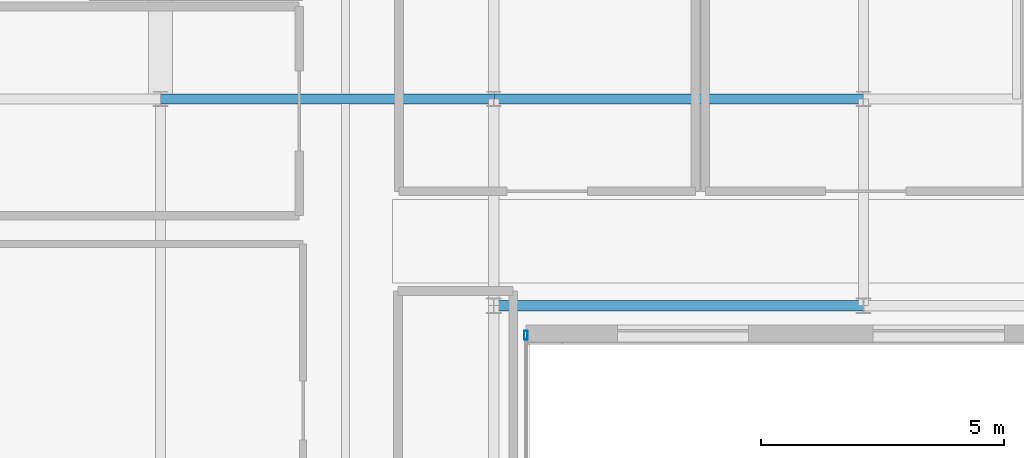
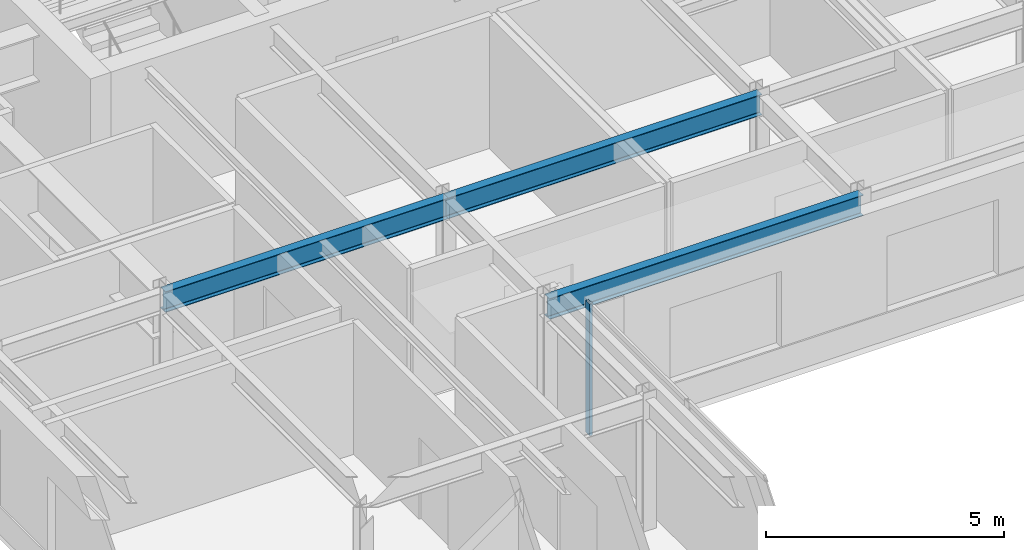
# One storey, part 9 of 21: 3 beams, 1 member, 1 element without a shape of its own.
"""IFC4 building model written with IfcOpenShell, lengths in metres."""

import ifcopenshell
import ifcopenshell.guid

model = None  # the IFC model being written
_history = None  # IfcOwnerHistory: only IFC2X3 demands one
_inside = {}  # id of a spatial element -> (the spatial element, [elements in it])
_under = {}  # id of a project, library or spatial element -> (it, [spatial elements below it])
_declared = {}  # id of a project -> (the project, [libraries it declares])
_typed = {}  # id of a type object -> (the type object, [elements of that type])
_made_of = {}  # id of a material, layer set ... -> (it, [elements and type objects made of it])


def new_model(schema):
    """Start an empty IFC model of exactly this schema.

    Asked for "IFC4X3", IfcOpenShell would pick the latest addendum, in which some entities
    have other attributes; the version numbers below select the first issue.
    IFC2X3 requires an IfcOwnerHistory on every rooted entity: one is made here for all.
    """
    global model, _history
    if schema == "IFC4X3":
        model = ifcopenshell.file(schema_version=(4, 3, 0, 0))
    else:
        model = ifcopenshell.file(schema=schema)
    _inside.clear()
    _under.clear()
    _declared.clear()
    _typed.clear()
    _made_of.clear()
    _history = None
    if model.schema == "IFC2X3":
        org = make("IfcOrganization", Name="unknown")
        user = make(
            "IfcPersonAndOrganization",
            ThePerson=make("IfcPerson", FamilyName="unknown"),
            TheOrganization=org,
        )
        app = make(
            "IfcApplication",
            ApplicationDeveloper=org,
            Version="unknown",
            ApplicationFullName="unknown",
            ApplicationIdentifier="unknown",
        )
        _history = make(
            "IfcOwnerHistory",
            OwningUser=user,
            OwningApplication=app,
            ChangeAction="ADDED",
            CreationDate=0,
        )
    return model


def make(cls, **values):
    """One entity of the class cls with the attributes given. An attribute that is None is left unset."""
    return model.create_entity(
        cls, **{name: value for name, value in values.items() if value is not None}
    )


def rooted(cls, **values):
    """An entity with a GlobalId (a new one), such as an element, a storey or a relation."""
    return make(cls, GlobalId=ifcopenshell.guid.new(), OwnerHistory=_history, **values)


def si_unit(unit_type, name, prefix=None):
    """IfcSIUnit, for example si_unit("LENGTHUNIT", "METRE", prefix="MILLI")."""
    return make("IfcSIUnit", UnitType=unit_type, Prefix=prefix, Name=name)


def assignment(units):
    """IfcUnitAssignment: the units of a project."""
    return None if units is None else make("IfcUnitAssignment", Units=units)


def point(xyz):
    """IfcCartesianPoint."""
    return None if xyz is None else make("IfcCartesianPoint", Coordinates=xyz)


def direction(xyz):
    """IfcDirection."""
    return None if xyz is None else make("IfcDirection", DirectionRatios=xyz)


def frame(location, z_axis=None, x_axis=None):
    """IfcAxis2Placement3D, a coordinate frame: its origin and axes. An axis left out is left unset."""
    return make(
        "IfcAxis2Placement3D",
        Location=point(location),
        Axis=direction(z_axis),
        RefDirection=direction(x_axis),
    )


def frame_2d(location, x_axis=None):
    """IfcAxis2Placement2D, a coordinate frame in the plane: its origin and x axis."""
    return make(
        "IfcAxis2Placement2D", Location=point(location), RefDirection=direction(x_axis)
    )


def origin():
    """The frame at (0, 0, 0) with its axes left unset."""
    return frame((0.0, 0.0, 0.0))


def origin_2d():
    """The frame at (0, 0) in the plane with its x axis left unset."""
    return frame_2d((0.0, 0.0))


def place(relative_to, where):
    """IfcLocalPlacement: puts the frame where relative to a parent placement (None: the world)."""
    return make(
        "IfcLocalPlacement", PlacementRelTo=relative_to, RelativePlacement=where
    )


def context(
    kind, dimensions, precision=None, world=None, true_north=None, identifier=None
):
    """IfcGeometricRepresentationContext, for example the 3D "Model" context."""
    return make(
        "IfcGeometricRepresentationContext",
        ContextIdentifier=identifier,
        ContextType=kind,
        CoordinateSpaceDimension=dimensions,
        Precision=precision,
        WorldCoordinateSystem=world,
        TrueNorth=true_north,
    )


def subcontext(parent, identifier, kind, view, scale=None):
    """IfcGeometricRepresentationSubContext, for example "Body" below "Model"."""
    return make(
        "IfcGeometricRepresentationSubContext",
        ContextIdentifier=identifier,
        ContextType=kind,
        ParentContext=parent,
        TargetScale=scale,
        TargetView=view,
    )


def project(units=None, contexts=None):
    """IfcProject with its units and contexts."""
    return rooted(
        "IfcProject",
        Name="project",
        RepresentationContexts=contexts,
        UnitsInContext=assignment(units),
    )


def spatial(cls, under=None, at=None, **own):
    """A site, building, storey or space (cls), placed at a placement, below another one or the project."""
    s = rooted(cls, ObjectPlacement=at, **own)
    if under is not None:
        _under.setdefault(under.id(), (under, []))[1].append(s)
    return s


def profile(cls, at=None, kind="AREA", **sizes):
    """A parametric profile (cls). Its sizes go by their IFC names, for example OverallWidth=200.0."""
    return make(cls, ProfileType=kind, Position=at, **sizes)


def hollow_rectangle(**sizes):
    """IfcRectangleHollowProfileDef."""
    return profile("IfcRectangleHollowProfileDef", **sizes)


def i_section(**sizes):
    """IfcIShapeProfileDef."""
    return profile("IfcIShapeProfileDef", **sizes)


def extrude(swept, where, along, depth):
    """IfcExtrudedAreaSolid: the profile swept, set in the frame where, extruded along a direction by depth."""
    return make(
        "IfcExtrudedAreaSolid",
        SweptArea=swept,
        Position=where,
        ExtrudedDirection=direction(along),
        Depth=depth,
    )


def shape(context_of_items, identifier, shape_type, items):
    """IfcShapeRepresentation: the items that make up one representation, for example the "Body"."""
    return make(
        "IfcShapeRepresentation",
        ContextOfItems=context_of_items,
        RepresentationIdentifier=identifier,
        RepresentationType=shape_type,
        Items=items,
    )


def source(mapping_origin, context_of_items, identifier, shape_type, items):
    """IfcRepresentationMap: a shape defined once, which mapped items show again and again."""
    return make(
        "IfcRepresentationMap",
        MappingOrigin=mapping_origin,
        MappedRepresentation=shape(context_of_items, identifier, shape_type, items),
    )


def transform(
    local_origin,
    x_axis=None,
    y_axis=None,
    z_axis=None,
    scale=None,
    scale2=None,
    scale3=None,
    uniform=True,
):
    """IfcCartesianTransformationOperator3D, or its non-uniform kind. x_axis, y_axis, z_axis: its Axis1, 2, 3."""
    if uniform:
        return make(
            "IfcCartesianTransformationOperator3D",
            Axis1=direction(x_axis),
            Axis2=direction(y_axis),
            LocalOrigin=point(local_origin),
            Scale=scale,
            Axis3=direction(z_axis),
        )
    return make(
        "IfcCartesianTransformationOperator3DnonUniform",
        Axis1=direction(x_axis),
        Axis2=direction(y_axis),
        LocalOrigin=point(local_origin),
        Scale=scale,
        Axis3=direction(z_axis),
        Scale2=scale2,
        Scale3=scale3,
    )


def mapped(mapping_source, mapping_target):
    """IfcMappedItem: shows the shape of a source again, moved by a transform."""
    return make(
        "IfcMappedItem", MappingSource=mapping_source, MappingTarget=mapping_target
    )


def material(Name=None, Category=None):
    """IfcMaterial."""
    return make("IfcMaterial", Name=Name, Category=Category)


def layer(
    of_material, thickness, ventilated=None, Name=None, Category=None, Priority=None
):
    """IfcMaterialLayer: one layer of a wall or slab, of a material (None: an air gap)."""
    return make(
        "IfcMaterialLayer",
        Material=of_material,
        LayerThickness=thickness,
        IsVentilated=ventilated,
        Name=Name,
        Category=Category,
        Priority=Priority,
    )


def layer_set(layers, Name=None):
    """IfcMaterialLayerSet."""
    return make("IfcMaterialLayerSet", MaterialLayers=layers, LayerSetName=Name)


def material_profile(
    of_material, cross_section, Name=None, Category=None, Priority=None
):
    """IfcMaterialProfile: a cross section and its material."""
    return make(
        "IfcMaterialProfile",
        Name=Name,
        Material=of_material,
        Profile=cross_section,
        Priority=Priority,
        Category=Category,
    )


def profile_set(profiles, Name=None, composite=None):
    """IfcMaterialProfileSet."""
    return make(
        "IfcMaterialProfileSet",
        Name=Name,
        MaterialProfiles=profiles,
        CompositeProfile=composite,
    )


def made_of(thing, what):
    """Note that an element or type object is made of a material, layer set ...; save() writes the relation."""
    if what is not None:
        _made_of.setdefault(what.id(), (what, []))[1].append(thing)
    return thing


def type_object(cls, material=None, **own):
    """A type object (cls), such as IfcWallType, which elements share."""
    return made_of(rooted(cls, **own), material)


def type_shapes(of_type, sources):
    """Give a type object the sources (RepresentationMaps) that its elements show as mapped items."""
    of_type.RepresentationMaps = sources


def element(
    cls,
    number,
    at=None,
    inside=None,
    cuts=None,
    type_object=None,
    material=None,
    context=None,
    identifier="Body",
    shape_type=None,
    held_by="IfcProductDefinitionShape",
    body=None,
    shapes=None,
    **own,
):
    """One element of the class cls, such as IfcWall. Its Tag is "e" and its number.

    at: its placement. inside: the storey or other place that contains it. cuts: it is an
    opening in that element (IfcRelVoidsElement). A single representation is given by context,
    identifier, shape_type and body (its items); several are given by shapes. held_by: the class
    of the entity that holds the representations. save() writes the other relations.
    """
    e = rooted(cls, Tag="e%d" % number, ObjectPlacement=at, **own)
    if body is not None:
        shapes = [shape(context, identifier, shape_type, body)]
    if shapes is not None:
        e.Representation = make(held_by, Representations=shapes)
    if inside is not None:
        _inside.setdefault(inside.id(), (inside, []))[1].append(e)
    if cuts is not None:
        rooted(
            "IfcRelVoidsElement", RelatingBuildingElement=cuts, RelatedOpeningElement=e
        )
    if type_object is not None:
        _typed.setdefault(type_object.id(), (type_object, []))[1].append(e)
    return made_of(e, material)


def aggregate(whole, parts):
    """IfcRelAggregates: a whole, such as a stair, and the parts it consists of."""
    return rooted("IfcRelAggregates", RelatingObject=whole, RelatedObjects=parts)


def save(model, path):
    """Write the relations noted so far, then the file.

    IfcRelAggregates (storeys below a building ...), IfcRelContainedInSpatialStructure (elements
    in a storey), IfcRelDefinesByType, IfcRelAssociatesMaterial and IfcRelDeclares: one each for
    every whole, place, type object, material and project.
    """
    for whole, parts in _under.values():
        aggregate(whole, parts)
    for where, things in _inside.values():
        rooted(
            "IfcRelContainedInSpatialStructure",
            RelatedElements=things,
            RelatingStructure=where,
        )
    for kind, things in _typed.values():
        rooted("IfcRelDefinesByType", RelatedObjects=things, RelatingType=kind)
    for what, things in _made_of.values():
        rooted("IfcRelAssociatesMaterial", RelatedObjects=things, RelatingMaterial=what)
    for by, libraries in _declared.values():
        rooted("IfcRelDeclares", RelatingContext=by, RelatedDefinitions=libraries)
    model.write(path)


model = new_model("IFC4")

# Units and contexts
model_context = context("Model", 3, precision=1e-05, world=origin(), true_north=direction((0.0, 1.0)))
body_context = subcontext(model_context, "Body", "Model", "MODEL_VIEW")
ifc_project = project(units=[si_unit("LENGTHUNIT", "METRE"), si_unit("AREAUNIT", "SQUARE_METRE"), si_unit("VOLUMEUNIT", "CUBIC_METRE"), si_unit("PLANEANGLEUNIT", "RADIAN"), si_unit("MASSUNIT", "GRAM", prefix="KILO")], contexts=[model_context])

# Site, building, storey
site_placement = place(None, origin())
site = spatial("IfcSite", under=ifc_project, at=site_placement, CompositionType="ELEMENT")
building_placement = place(site_placement, origin())
building = spatial("IfcBuilding", under=site, at=building_placement, Name="Tolvann Quenvar Hotel", CompositionType="ELEMENT")
storey_placement = place(building_placement, frame((0.0, 0.0, 255.85009765625)))
storey = spatial("IfcBuildingStorey", under=building, at=storey_placement, Name="L68", CompositionType="ELEMENT", Elevation=255.85009765625)

# Beams
ifc_material_1 = material(Name="Steel Grade 350", Category="steel")
ifc_material_profile_1 = material_profile(ifc_material_1, i_section(OverallWidth=0.208984375, OverallDepth=0.532958984375, WebThickness=0.01025390625, FlangeThickness=0.015625, FilletRadius=0.013916015625, at=origin_2d()), Name="530UB92")
ifc_profile_set_1 = profile_set([ifc_material_profile_1], Name="Steel Grade 350")
beam_type = type_object("IfcBeamType", Name="BM_GIRD_530UB92", PredefinedType="BEAM", material=ifc_profile_set_1)
shared_shape_1 = source(origin(), body_context, "Body", "SweptSolid", [
    extrude(i_section(OverallWidth=0.208984375, OverallDepth=0.532958984375, WebThickness=0.01025390625, FlangeThickness=0.015625, FilletRadius=0.013916015625, at=origin_2d()), origin(), (0.0, 0.0, 1.0), 6.849853515625),
])
beam_placement = place(storey_placement, frame((7.60009765625, 24.39990234375, 3.103515625), z_axis=(1.0, 0.0, 0.0), x_axis=(0.0, 1.0, 0.0)))
element("IfcBeam", 1, at=beam_placement, inside=storey, type_object=beam_type, Name="BM-L68-EW-5-C5-D5", PredefinedType="BEAM", context=body_context, shape_type="MappedRepresentation", body=[
    mapped(shared_shape_1, transform((0.0, 0.0, 0.0), x_axis=(1.0, 0.0, 0.0), y_axis=(0.0, 1.0, 0.0), z_axis=(0.0, 0.0, 1.0), scale=1.0)),
])
shared_shape_2 = source(origin(), body_context, "Body", "SweptSolid", [
    extrude(i_section(OverallWidth=0.208984375, OverallDepth=0.532958984375, WebThickness=0.01025390625, FlangeThickness=0.015625, FilletRadius=0.013916015625, at=origin_2d()), origin(), (0.0, 0.0, 1.0), 7.60009765625),
])
type_shapes(beam_type, [shared_shape_1, shared_shape_2])
for number, where, z_axis, x_axis, name in (
    (2, (14.449951171875, 20.14990234375, 3.103515625), (1.0, 0.0, 0.0), (0.0, 1.0, 0.0), "BM-L68-EW-4P-D4P-E4P"),
    (3, (14.449951171875, 24.39990234375, 3.103515625), (1.0, 0.0, 0.0), (0.0, 1.0, 0.0), "BM-L68-EW-5-D5-E5"),
):
    element("IfcBeam", number, at=place(storey_placement, frame(where, z_axis=z_axis, x_axis=x_axis)), inside=storey, type_object=beam_type, Name=name, PredefinedType="BEAM", context=body_context, shape_type="MappedRepresentation", body=[
        mapped(shared_shape_2, transform((0.0, 0.0, 0.0), x_axis=(1.0, 0.0, 0.0), y_axis=(0.0, 1.0, 0.0), z_axis=(0.0, 0.0, 1.0), scale=1.0)),
    ])

# Curtain wall, member
ifc_material_2 = material(Name="Thermally broken anodised architectural aluminium 6063-T6 and laminated low-E glass", Category="aluminium")
ifc_layer = layer(ifc_material_2, 0.179931640625)
ifc_layer_set = layer_set([ifc_layer], Name="Thermally broken anodised architectural aluminium 6063-T6 and laminated low-E glass")
curtain_wall_type = type_object("IfcCurtainWallType", Name="CW_SYS_PORTAL_05", PredefinedType="USERDEFINED", material=ifc_layer_set)
curtain_wall_placement = place(storey_placement, origin())
curtain_wall = element("IfcCurtainWall", 4, at=curtain_wall_placement, inside=storey, type_object=curtain_wall_type, Name="Curtain Wall CW-PORTAL-05 (CWR-L68-E05)", ObjectType="UNITISED CURTAIN WALL", PredefinedType="USERDEFINED")
ifc_material_3 = material(Name="Anodised architectural aluminium 6063-T6 framing", Category="aluminium")
ifc_material_profile_2 = material_profile(ifc_material_3, hollow_rectangle(XDim=0.070068359375, YDim=0.179931640625, WallThickness=0.00390625, at=origin_2d()), Name="180x70x4RHS")
ifc_profile_set_2 = profile_set([ifc_material_profile_2], Name="Anodised architectural aluminium 6063-T6 framing")
member_type = type_object("IfcMemberType", Name="CW_MULL_180x70", PredefinedType="MULLION", material=ifc_profile_set_2)
shared_shape_3 = source(origin(), body_context, "Body", "SweptSolid", [
    extrude(hollow_rectangle(XDim=0.070068359375, YDim=0.179931640625, WallThickness=0.00390625, at=origin_2d()), origin(), (0.0, 0.0, 1.0), 3.369873046875),
])
type_shapes(member_type, [shared_shape_3])
member_placement = place(storey_placement, frame((15.110107421875, 19.5400390625, 0.0), z_axis=(0.0, 0.0, 1.0), x_axis=(-1.0, 0.0, 0.0)))
member = element("IfcMember", 5, at=member_placement, type_object=member_type, Name="CW-PORTAL-05 mullion 5", PredefinedType="MULLION", context=body_context, shape_type="MappedRepresentation", body=[
    mapped(shared_shape_3, transform((0.0, 0.0, 0.0), x_axis=(1.0, 0.0, 0.0), y_axis=(0.0, 1.0, 0.0), z_axis=(0.0, 0.0, 1.0), scale=1.0)),
])
aggregate(curtain_wall, [member])

save(model, "model.ifc")
